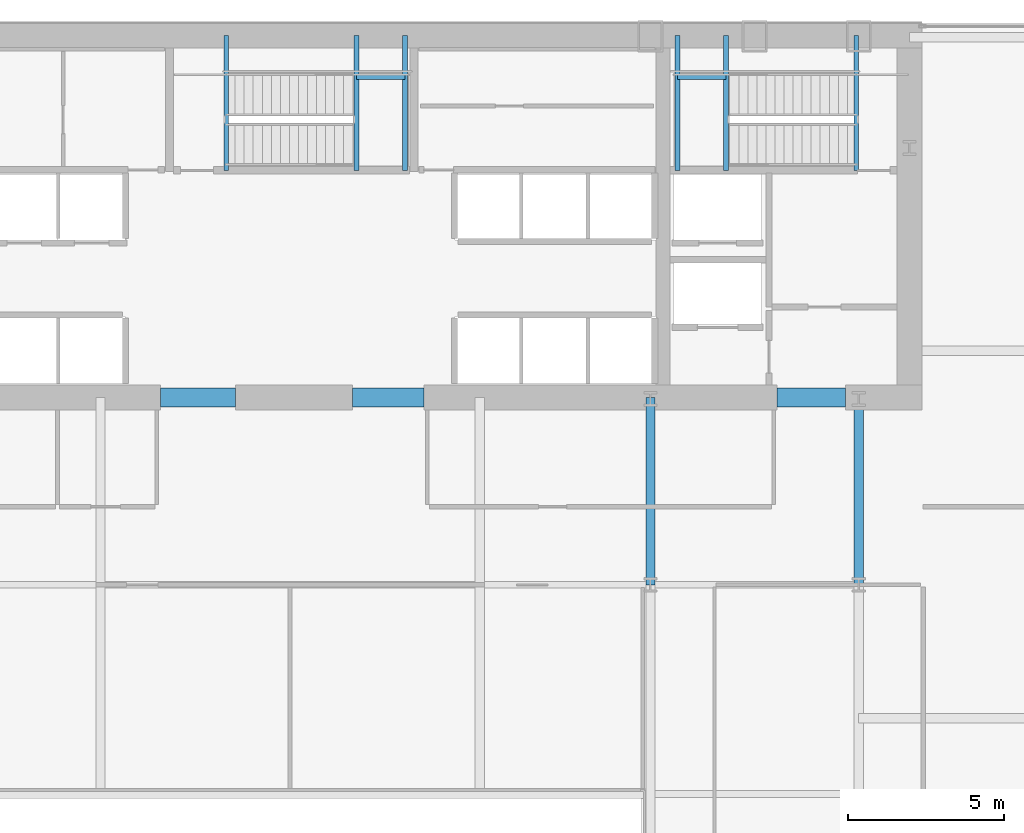
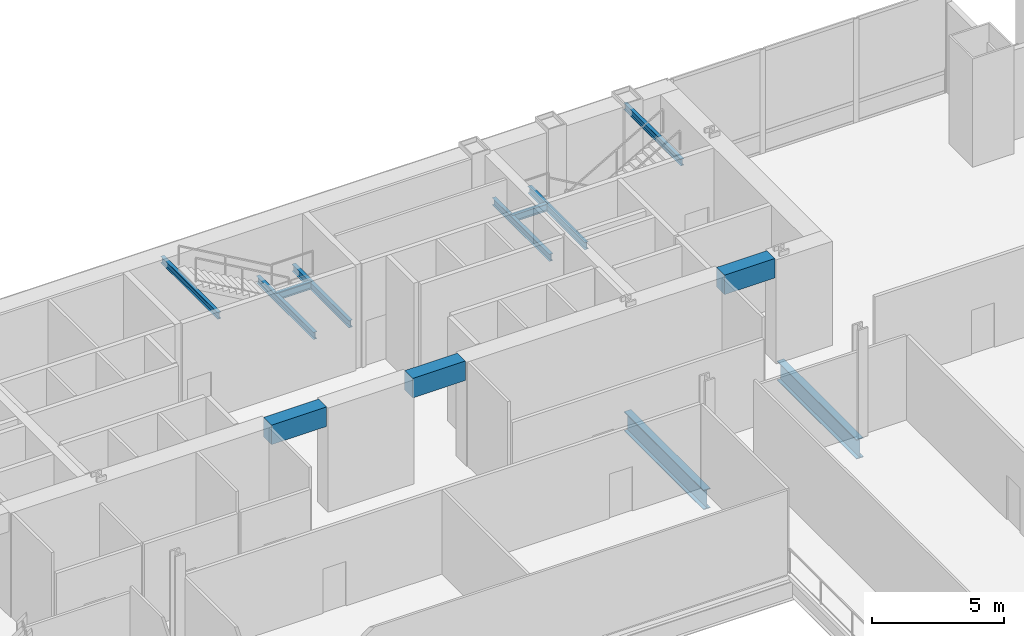
# One storey, part 13 of 26: 13 beams.
"""IFC4 building model written with IfcOpenShell, lengths in metres."""

from ifc_helpers import new_model, si_unit, direction, frame, origin, origin_2d, place, context, subcontext, project, spatial, rectangle, i_section, extrude, material, material_profile, profile_set, type_object, element, save


model = new_model("IFC4")

# Units and contexts
model_context = context("Model", 3, precision=1e-05, world=origin(), true_north=direction((0.0, 1.0)))
body_context = subcontext(model_context, "Body", "Model", "MODEL_VIEW")
ifc_project = project(units=[si_unit("LENGTHUNIT", "METRE"), si_unit("AREAUNIT", "SQUARE_METRE"), si_unit("VOLUMEUNIT", "CUBIC_METRE"), si_unit("PLANEANGLEUNIT", "RADIAN"), si_unit("MASSUNIT", "GRAM", prefix="KILO")], contexts=[model_context])

# Site, building, storey
site_placement = place(None, origin())
site = spatial("IfcSite", under=ifc_project, at=site_placement, CompositionType="ELEMENT")
building_placement = place(site_placement, origin())
building = spatial("IfcBuilding", under=site, at=building_placement, Name="Khoronbel Lancet Exchange", CompositionType="ELEMENT")
storey_placement = place(building_placement, frame((0.0, 0.0, 5.39990234375)))
storey = spatial("IfcBuildingStorey", under=building, at=storey_placement, Name="L01", CompositionType="ELEMENT", Elevation=5.39990234375)

# Beams
ifc_material_1 = material(Name="Steel S355", Category="steel")
ifc_material_profile_1 = material_profile(ifc_material_1, i_section(OverallWidth=0.300048828125, OverallDepth=0.89990234375, WebThickness=0.0185546875, FlangeThickness=0.034912109375, at=origin_2d()), Name="HEB 900")
ifc_profile_set_1 = profile_set([ifc_material_profile_1], Name="Steel S355")
beam_type_1 = type_object("IfcBeamType", Name="BM-BG1", PredefinedType="BEAM", material=ifc_profile_set_1)
for number, where, z_axis, x_axis, name in (
    (1, (48.0, 35.699951171875, -0.64990234375), (0.0, 1.0, 0.0), (-1.0, 0.0, 0.0), "Level L01 spine tie girder GN5"),
    (2, (54.675048828125, 35.699951171875, -0.64990234375), (0.0, 1.0, 0.0), (-1.0, 0.0, 0.0), "Level L01 spine tie girder GN6"),
):
    element("IfcBeam", number, at=place(storey_placement, frame(where, z_axis=z_axis, x_axis=x_axis)), inside=storey, type_object=beam_type_1, Name=name, PredefinedType="BEAM", context=body_context, shape_type="SweptSolid", body=[
        extrude(i_section(OverallWidth=0.300048828125, OverallDepth=0.89990234375, WebThickness=0.0185546875, FlangeThickness=0.034912109375, at=origin_2d()), origin(), (0.0, 0.0, 1.0), 6.0),
    ])
ifc_material_profile_2 = material_profile(ifc_material_1, i_section(OverallWidth=0.159912109375, OverallDepth=0.330078125, WebThickness=0.007568359375, FlangeThickness=0.011474609375, at=origin_2d()), Name="IPE 330")
ifc_profile_set_2 = profile_set([ifc_material_profile_2], Name="Steel S355")
beam_type_2 = type_object("IfcBeamType", Name="BM-BJ7", PredefinedType="JOIST", material=ifc_profile_set_2)
for number, where, z_axis, x_axis, name in (
    (3, (50.419921875, 48.97998046875, 2.135009765625), (0.0, 1.0, 0.0), (-1.0, 0.0, 0.0), "Level L01 stair ST2 landing bearer beam 1"),
    (4, (48.8701171875, 48.97998046875, 2.135009765625), (0.0, 1.0, 0.0), (-1.0, 0.0, 0.0), "Level L01 stair ST2 rear landing bearer beam 1"),
):
    element("IfcBeam", number, at=place(storey_placement, frame(where, z_axis=z_axis, x_axis=x_axis)), inside=storey, type_object=beam_type_2, Name=name, PredefinedType="JOIST", context=body_context, shape_type="SweptSolid", body=[
        extrude(i_section(OverallWidth=0.159912109375, OverallDepth=0.330078125, WebThickness=0.007568359375, FlangeThickness=0.011474609375, at=origin_2d()), origin(), (0.0, 0.0, 1.0), 4.320068359375),
    ])
beam_1_placement = place(storey_placement, frame((48.8701171875, 51.97998046875, 2.135009765625), z_axis=(1.0, 0.0, 0.0), x_axis=(0.0, 1.0, 0.0)))
element("IfcBeam", 5, at=beam_1_placement, inside=storey, type_object=beam_type_2, Name="Level L01 stair ST2 landing cross trimmer beam 1", PredefinedType="JOIST", context=body_context, shape_type="SweptSolid", body=[
    extrude(i_section(OverallWidth=0.159912109375, OverallDepth=0.330078125, WebThickness=0.007568359375, FlangeThickness=0.011474609375, at=origin_2d()), origin(), (0.0, 0.0, 1.0), 1.5498046875),
])
for number, where, z_axis, x_axis, name in (
    (6, (38.580078125, 48.97998046875, 2.135009765625), (0.0, 1.0, 0.0), (-1.0, 0.0, 0.0), "Level L01 stair ST3 landing bearer beam 1"),
    (7, (40.1298828125, 48.97998046875, 2.135009765625), (0.0, 1.0, 0.0), (-1.0, 0.0, 0.0), "Level L01 stair ST3 rear landing bearer beam 1"),
):
    element("IfcBeam", number, at=place(storey_placement, frame(where, z_axis=z_axis, x_axis=x_axis)), inside=storey, type_object=beam_type_2, Name=name, PredefinedType="JOIST", context=body_context, shape_type="SweptSolid", body=[
        extrude(i_section(OverallWidth=0.159912109375, OverallDepth=0.330078125, WebThickness=0.007568359375, FlangeThickness=0.011474609375, at=origin_2d()), origin(), (0.0, 0.0, 1.0), 4.320068359375),
    ])
beam_2_placement = place(storey_placement, frame((38.580078125, 51.97998046875, 2.135009765625), z_axis=(1.0, 0.0, 0.0), x_axis=(0.0, 1.0, 0.0)))
element("IfcBeam", 8, at=beam_2_placement, inside=storey, type_object=beam_type_2, Name="Level L01 stair ST3 landing cross trimmer beam 1", PredefinedType="JOIST", context=body_context, shape_type="SweptSolid", body=[
    extrude(i_section(OverallWidth=0.159912109375, OverallDepth=0.330078125, WebThickness=0.007568359375, FlangeThickness=0.011474609375, at=origin_2d()), origin(), (0.0, 0.0, 1.0), 1.5498046875),
])
ifc_material_profile_3 = material_profile(ifc_material_1, i_section(OverallWidth=0.14990234375, OverallDepth=0.300048828125, WebThickness=0.007080078125, FlangeThickness=0.0107421875, at=origin_2d()), Name="IPE 300")
ifc_profile_set_3 = profile_set([ifc_material_profile_3], Name="Steel S355")
beam_type_3 = type_object("IfcBeamType", Name="BM-BJ8", PredefinedType="JOIST", material=ifc_profile_set_3)
for number, where, z_axis, x_axis, name in (
    (9, (54.60009765625, 48.97998046875, 4.52001953125), (0.0, 1.0, 0.0), (-1.0, 0.0, 0.0), "Level L01 stair ST2 upper-flight arrival trimmer beam"),
    (10, (34.39990234375, 48.97998046875, 4.52001953125), (0.0, 1.0, 0.0), (-1.0, 0.0, 0.0), "Level L01 stair ST3 upper-flight arrival trimmer beam"),
):
    element("IfcBeam", number, at=place(storey_placement, frame(where, z_axis=z_axis, x_axis=x_axis)), inside=storey, type_object=beam_type_3, Name=name, PredefinedType="JOIST", context=body_context, shape_type="SweptSolid", body=[
        extrude(i_section(OverallWidth=0.14990234375, OverallDepth=0.300048828125, WebThickness=0.007080078125, FlangeThickness=0.0107421875, at=origin_2d()), origin(), (0.0, 0.0, 1.0), 4.320068359375),
    ])
ifc_material_2 = material(Name="Concrete C80/95", Category="concrete")
ifc_material_profile_4 = material_profile(ifc_material_2, rectangle(XDim=0.60009765625, YDim=0.89990234375, at=origin_2d()), Name="RC 600x900")
ifc_profile_set_4 = profile_set([ifc_material_profile_4], Name="Concrete C80/95")
beam_type_4 = type_object("IfcBeamType", Name="BM-BL1", PredefinedType="LINTEL", material=ifc_profile_set_4)
beam_3_placement = place(storey_placement, frame((32.300048828125, 41.699951171875, 4.35009765625), z_axis=(1.0, 0.0, 0.0), x_axis=(0.0, 1.0, 0.0)))
element("IfcBeam", 11, at=beam_3_placement, inside=storey, type_object=beam_type_4, Name="Level L01 rear core coupling lintel L2", PredefinedType="LINTEL", context=body_context, shape_type="SweptSolid", body=[
    extrude(rectangle(XDim=0.60009765625, YDim=0.89990234375, at=origin_2d()), origin(), (0.0, 0.0, 1.0), 2.39990234375),
])
beam_4_placement = place(storey_placement, frame((38.449951171875, 41.699951171875, 4.35009765625), z_axis=(1.0, 0.0, 0.0), x_axis=(0.0, 1.0, 0.0)))
element("IfcBeam", 12, at=beam_4_placement, inside=storey, type_object=beam_type_4, Name="Level L01 rear core coupling lintel L3", PredefinedType="LINTEL", context=body_context, shape_type="SweptSolid", body=[
    extrude(rectangle(XDim=0.60009765625, YDim=0.89990234375, at=origin_2d()), origin(), (0.0, 0.0, 1.0), 2.300048828125),
])
beam_5_placement = place(storey_placement, frame((52.050048828125, 41.699951171875, 4.35009765625), z_axis=(1.0, 0.0, 0.0), x_axis=(0.0, 1.0, 0.0)))
element("IfcBeam", 13, at=beam_5_placement, inside=storey, type_object=beam_type_4, Name="Level L01 rear core coupling lintel L4", PredefinedType="LINTEL", context=body_context, shape_type="SweptSolid", body=[
    extrude(rectangle(XDim=0.60009765625, YDim=0.89990234375, at=origin_2d()), origin(), (0.0, 0.0, 1.0), 2.199951171875),
])

save(model, "model.ifc")
